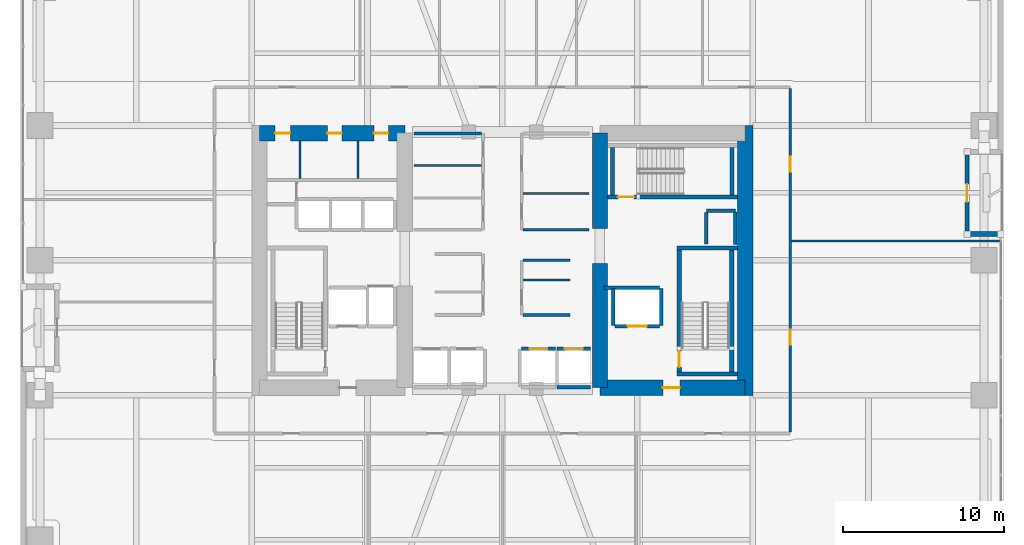
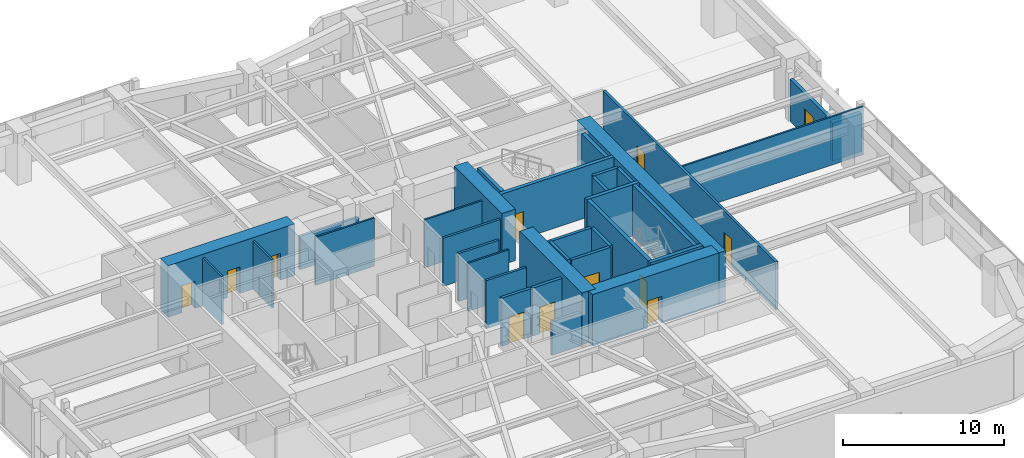
# One storey, part 24 of 28: 35 walls, 12 doors, 12 openings.
"""IFC4 building model written with IfcOpenShell, lengths in metres."""

from ifc_helpers import new_model, si_unit, direction, frame, frame_2d, origin, place, context, subcontext, project, spatial, rectangle, extrude, material, layer, layer_set, type_object, element, fill, save


model = new_model("IFC4")

# Units and contexts
model_context = context("Model", 3, precision=1e-05, world=origin(), true_north=direction((0.0, 1.0)))
body_context = subcontext(model_context, "Body", "Model", "MODEL_VIEW")
ifc_project = project(units=[si_unit("LENGTHUNIT", "METRE"), si_unit("AREAUNIT", "SQUARE_METRE"), si_unit("VOLUMEUNIT", "CUBIC_METRE"), si_unit("PLANEANGLEUNIT", "RADIAN"), si_unit("MASSUNIT", "GRAM", prefix="KILO")], contexts=[model_context])

# Site, building, storey
site_placement = place(None, origin())
site = spatial("IfcSite", under=ifc_project, at=site_placement, CompositionType="ELEMENT")
building_placement = place(site_placement, origin())
building = spatial("IfcBuilding", under=site, at=building_placement, Name="Kiyonajd Concourse Tower", CompositionType="ELEMENT")
storey_placement = place(building_placement, frame((0.0, 0.0, 33.300048828125)))
storey = spatial("IfcBuildingStorey", under=building, at=storey_placement, Name="L09", CompositionType="ELEMENT", Elevation=33.300048828125)

# Wall, openings, doors
ifc_material_1 = material(Name="Concrete C80/95", Category="concrete")
ifc_layer_1 = layer(ifc_material_1, 0.949951171875)
ifc_layer_set_1 = layer_set([ifc_layer_1], Name="Concrete C80/95")
wall_type_1 = type_object("IfcWallType", Name="WL-CORE-950", PredefinedType="SHEAR", material=ifc_layer_set_1)
wall_1_placement = place(storey_placement, frame((32.875, 43.925048828125, 0.0), z_axis=(0.0, 0.0, 1.0), x_axis=(1.0, 0.0, 0.0)))
wall_1 = element("IfcWall", 1, at=wall_1_placement, inside=storey, type_object=wall_type_1, Name="L09 West Core North Shear Wall", PredefinedType="SHEAR", context=body_context, shape_type="SweptSolid", body=[
    extrude(rectangle(XDim=9.050048828125, YDim=0.949951171875, at=frame_2d((4.52490234375, 0.0))), origin(), (0.0, 0.0, 1.0), 3.89990234375),
])
opening_1_placement = place(wall_1_placement, frame((0.97509765625, 0.0, 0.0)))
opening_1 = element("IfcOpeningElement", 2, at=opening_1_placement, cuts=wall_1, Name="Opening DI1", PredefinedType="OPENING", context=body_context, shape_type="SweptSolid", body=[
    extrude(rectangle(XDim=0.949951171875, YDim=2.0400390625, at=frame_2d((0.47509765625, 1.02001953125))), frame((0.0, 0.48486328125, 0.0), z_axis=(0.0, -1.0, 0.0), x_axis=(1.0, 0.0, 0.0)), (0.0, 0.0, 1.0), 0.969970703125),
])
opening_2_placement = place(wall_1_placement, frame((4.22509765625, 0.0, 0.0)))
opening_2 = element("IfcOpeningElement", 3, at=opening_2_placement, cuts=wall_1, Name="Opening DI2", PredefinedType="OPENING", context=body_context, shape_type="SweptSolid", body=[
    extrude(rectangle(XDim=0.89990234375, YDim=2.02001953125, at=frame_2d((0.449951171875, 1.010009765625))), frame((0.0, 0.48486328125, 0.0), z_axis=(0.0, -1.0, 0.0), x_axis=(1.0, 0.0, 0.0)), (0.0, 0.0, 1.0), 0.969970703125),
])
opening_3_placement = place(wall_1_placement, frame((7.125, 0.0, 0.0)))
opening_3 = element("IfcOpeningElement", 4, at=opening_3_placement, cuts=wall_1, Name="Opening DI2", PredefinedType="OPENING", context=body_context, shape_type="SweptSolid", body=[
    extrude(rectangle(XDim=0.89990234375, YDim=2.02001953125, at=frame_2d((0.449951171875, 1.010009765625))), frame((0.0, 0.48486328125, 0.0), z_axis=(0.0, -1.0, 0.0), x_axis=(1.0, 0.0, 0.0)), (0.0, 0.0, 1.0), 0.969970703125),
])
ifc_material_2 = material(Name="Natural Oak Acoustic Timber Veneer", Category="wood")
door_type_1 = type_object("IfcDoorType", Name="DR-INT-900", OperationType="NOTDEFINED", PredefinedType="DOOR", material=ifc_material_2)
door_1_placement = place(opening_2_placement, origin())
door_1 = element("IfcDoor", 5, at=door_1_placement, inside=storey, type_object=door_type_1, Name="L09 Male Restroom Door", OperationType="SINGLE_SWING_RIGHT", OverallHeight=2.02001953125, OverallWidth=0.89990234375, PredefinedType="DOOR", context=body_context, shape_type="SweptSolid", body=[
    extrude(rectangle(XDim=0.89990234375, YDim=2.02001953125, at=frame_2d((0.449951171875, 1.010009765625))), frame((0.0, 0.02490234375, 0.0), z_axis=(0.0, -1.0, 0.0), x_axis=(1.0, 0.0, 0.0)), (0.0, 0.0, 1.0), 0.050048828125),
])
fill(opening_2, door_1)
door_2_placement = place(opening_3_placement, origin())
door_2 = element("IfcDoor", 6, at=door_2_placement, inside=storey, type_object=door_type_1, Name="L09 Female Restroom Door", OperationType="SINGLE_SWING_LEFT", OverallHeight=2.02001953125, OverallWidth=0.89990234375, PredefinedType="DOOR", context=body_context, shape_type="SweptSolid", body=[
    extrude(rectangle(XDim=0.89990234375, YDim=2.02001953125, at=frame_2d((0.449951171875, 1.010009765625))), frame((0.0, 0.02490234375, 0.0), z_axis=(0.0, -1.0, 0.0), x_axis=(1.0, 0.0, 0.0)), (0.0, 0.0, 1.0), 0.050048828125),
])
fill(opening_3, door_2)
door_type_2 = type_object("IfcDoorType", Name="DR-INT-950", OperationType="NOTDEFINED", PredefinedType="DOOR", material=ifc_material_2)
door_3_placement = place(opening_1_placement, origin())
door_3 = element("IfcDoor", 7, at=door_3_placement, inside=storey, type_object=door_type_2, Name="L09 Single User Accessible WC Door", OperationType="SINGLE_SWING_LEFT", OverallHeight=2.0400390625, OverallWidth=0.949951171875, PredefinedType="DOOR", context=body_context, shape_type="SweptSolid", body=[
    extrude(rectangle(XDim=0.949951171875, YDim=2.0400390625, at=frame_2d((0.47509765625, 1.02001953125))), frame((0.0, 0.02490234375, 0.0), z_axis=(0.0, -1.0, 0.0), x_axis=(1.0, 0.0, 0.0)), (0.0, 0.0, 1.0), 0.050048828125),
])
fill(opening_1, door_3)

# Walls
wall_2_placement = place(storey_placement, frame((54.074951171875, 28.074951171875, 0.0), z_axis=(0.0, 0.0, 1.0), x_axis=(0.0, 1.0, 0.0)))
element("IfcWall", 8, at=wall_2_placement, inside=storey, type_object=wall_type_1, Name="L09 East Core Inner South Shear Wall", PredefinedType="SHEAR", context=body_context, shape_type="SweptSolid", body=[
    extrude(rectangle(XDim=7.72509765625, YDim=0.949951171875, at=frame_2d((3.862548828125, 0.0))), origin(), (0.0, 0.0, 1.0), 3.89990234375),
])
wall_3_placement = place(storey_placement, frame((54.074951171875, 38.0, 0.0), z_axis=(0.0, 0.0, 1.0), x_axis=(0.0, 1.0, 0.0)))
element("IfcWall", 9, at=wall_3_placement, inside=storey, type_object=wall_type_1, Name="L09 East Core Inner North Shear Wall", PredefinedType="SHEAR", context=body_context, shape_type="SweptSolid", body=[
    extrude(rectangle(XDim=5.925048828125, YDim=0.949951171875, at=frame_2d((2.96240234375, 0.0))), origin(), (0.0, 0.0, 1.0), 3.89990234375),
])
wall_4_placement = place(storey_placement, frame((63.125, 27.60009765625, 0.0), z_axis=(0.0, 0.0, 1.0), x_axis=(0.0, 1.0, 0.0)))
element("IfcWall", 10, at=wall_4_placement, inside=storey, type_object=wall_type_1, Name="L09 East Core Outer Shear Wall", PredefinedType="SHEAR", context=body_context, shape_type="SweptSolid", body=[
    extrude(rectangle(XDim=16.7998046875, YDim=0.949951171875, at=frame_2d((8.39990234375, 0.0))), origin(), (0.0, 0.0, 1.0), 3.89990234375),
])

# Wall, opening, door
wall_5_placement = place(storey_placement, frame((54.074951171875, 28.074951171875, 0.0), z_axis=(0.0, 0.0, 1.0), x_axis=(1.0, 0.0, 0.0)))
wall_5 = element("IfcWall", 11, at=wall_5_placement, inside=storey, type_object=wall_type_1, Name="L09 East Core South Shear Wall", PredefinedType="SHEAR", context=body_context, shape_type="SweptSolid", body=[
    extrude(rectangle(XDim=9.050048828125, YDim=0.949951171875, at=frame_2d((4.52490234375, 0.0))), origin(), (0.0, 0.0, 1.0), 3.89990234375),
])
opening_4_placement = place(wall_5_placement, frame((3.925048828125, 0.0, 0.0)))
opening_4 = element("IfcOpeningElement", 12, at=opening_4_placement, cuts=wall_5, Name="Opening DF5", PredefinedType="OPENING", context=body_context, shape_type="SweptSolid", body=[
    extrude(rectangle(XDim=1.050048828125, YDim=2.0400390625, at=frame_2d((0.52490234375, 1.02001953125))), frame((0.0, 0.48486328125, 0.0), z_axis=(0.0, -1.0, 0.0), x_axis=(1.0, 0.0, 0.0)), (0.0, 0.0, 1.0), 0.969970703125),
])
ifc_material_3 = material(Name="Brushed Stainless Steel Cab Assembly", Category="steel")
door_type_3 = type_object("IfcDoorType", Name="DR-FD45-1050", OperationType="NOTDEFINED", PredefinedType="DOOR", material=ifc_material_3)
door_4_placement = place(opening_4_placement, origin())
door_4 = element("IfcDoor", 13, at=door_4_placement, inside=storey, type_object=door_type_3, Name="L09 Firefighting Lift Lobby E Smoke Door", OperationType="SINGLE_SWING_RIGHT", OverallHeight=2.0400390625, OverallWidth=1.050048828125, PredefinedType="DOOR", context=body_context, shape_type="SweptSolid", body=[
    extrude(rectangle(XDim=1.050048828125, YDim=2.0400390625, at=frame_2d((0.52490234375, 1.02001953125))), frame((0.0, 0.02490234375, 0.0), z_axis=(0.0, -1.0, 0.0), x_axis=(1.0, 0.0, 0.0)), (0.0, 0.0, 1.0), 0.050048828125),
])
fill(opening_4, door_4)

# Wall
ifc_material_4 = material(Name="Precast concrete C50/60", Category="concrete")
ifc_layer_2 = layer(ifc_material_4, 0.320068359375)
ifc_layer_set_2 = layer_set([ifc_layer_2], Name="Precast concrete C50/60")
wall_type_2 = type_object("IfcWallType", Name="WL-EXT-320", PredefinedType="SOLIDWALL", material=ifc_layer_set_2)
wall_6_placement = place(storey_placement, frame((76.93994140625, 37.639892578125, 0.0), z_axis=(0.0, 0.0, 1.0), x_axis=(1.0, 0.0, 0.0)))
element("IfcWall", 14, at=wall_6_placement, inside=storey, type_object=wall_type_2, Name="L09 Exterior Concrete Frame Wall 23", PredefinedType="SOLIDWALL", context=body_context, shape_type="SweptSolid", body=[
    extrude(rectangle(XDim=2.10009765625, YDim=0.320068359375, at=frame_2d((1.050048828125, 0.0))), origin(), (0.0, 0.0, 1.0), 2.875),
])

# Wall, opening, door
ifc_layer_3 = layer(ifc_material_4, 0.239990234375)
ifc_layer_set_3 = layer_set([ifc_layer_3], Name="Precast concrete C50/60")
wall_type_3 = type_object("IfcWallType", Name="WL-LOG-240", PredefinedType="SOLIDWALL", material=ifc_layer_set_3)
wall_7_placement = place(storey_placement, frame((76.93994140625, 42.56494140625, 0.0), z_axis=(0.0, 0.0, 1.0), x_axis=(0.0, -1.0, 0.0)))
wall_7 = element("IfcWall", 15, at=wall_7_placement, inside=storey, type_object=wall_type_3, Name="L09 Recessed Loggia Thermal Wall LOG-E", PredefinedType="SOLIDWALL", context=body_context, shape_type="SweptSolid", body=[
    extrude(rectangle(XDim=4.72998046875, YDim=0.239990234375, at=frame_2d((2.364990234375, 0.0))), origin(), (0.0, 0.0, 1.0), 3.161865234375),
])
opening_5_placement = place(wall_7_placement, frame((1.81494140625, 0.0, 0.0)))
opening_5 = element("IfcOpeningElement", 16, at=opening_5_placement, cuts=wall_7, Name="Opening DL2", PredefinedType="OPENING", context=body_context, shape_type="SweptSolid", body=[
    extrude(rectangle(XDim=1.10009765625, YDim=2.0400390625, at=frame_2d((0.550048828125, 1.02001953125))), frame((0.0, 0.1298828125, 0.0), z_axis=(0.0, -1.0, 0.0), x_axis=(1.0, 0.0, 0.0)), (0.0, 0.0, 1.0), 0.260009765625),
])
ifc_material_5 = material(Name="Thermally Broken Anodised Aluminium", Category="aluminium")
door_type_4 = type_object("IfcDoorType", Name="DR-LOG-1100", OperationType="NOTDEFINED", PredefinedType="DOOR", material=ifc_material_5)
door_5_placement = place(opening_5_placement, origin())
door_5 = element("IfcDoor", 17, at=door_5_placement, inside=storey, type_object=door_type_4, Name="L09 Engawa Loggia Access Door LOG-E", OperationType="SINGLE_SWING_LEFT", OverallHeight=2.0400390625, OverallWidth=1.10009765625, PredefinedType="DOOR", context=body_context, shape_type="SweptSolid", body=[
    extrude(rectangle(XDim=1.10009765625, YDim=2.0400390625, at=frame_2d((0.550048828125, 1.02001953125))), frame((0.0, 0.02490234375, 0.0), z_axis=(0.0, -1.0, 0.0), x_axis=(1.0, 0.0, 0.0)), (0.0, 0.0, 1.0), 0.050048828125),
])
fill(opening_5, door_5)

# Walls
ifc_material_6 = material(Name="Gypsum Board on Cold-Formed Steel Stud", Category="steel")
ifc_layer_4 = layer(ifc_material_6, 0.125)
ifc_layer_set_4 = layer_set([ifc_layer_4], Name="Gypsum Board on Cold-Formed Steel Stud")
wall_type_4 = type_object("IfcWallType", Name="WL-PART-125", PredefinedType="PARTITIONING", material=ifc_layer_set_4)
for number, where, z_axis, x_axis, name in (
    (18, (35.39990234375, 41.094970703125, 0.0), (0.0, 0.0, 1.0), (0.0, 1.0, 0.0), "L09 Interior Partition Wall"),
    (19, (39.0, 41.094970703125, 0.0), (0.0, 0.0, 1.0), (0.0, 1.0, 0.0), "L09 Interior Partition Wall"),
):
    element("IfcWall", number, at=place(storey_placement, frame(where, z_axis=z_axis, x_axis=x_axis)), inside=storey, type_object=wall_type_4, Name=name, PredefinedType="PARTITIONING", context=body_context, shape_type="SweptSolid", body=[
        extrude(rectangle(XDim=2.35498046875, YDim=0.125, at=frame_2d((1.177490234375, 0.0))), origin(), (0.0, 0.0, 1.0), 3.639892578125),
    ])
wall_8_placement = place(storey_placement, frame((49.287109375, 34.77587890625, 0.0), z_axis=(0.0, 0.0, 1.0), x_axis=(1.0, 0.0, 0.0)))
element("IfcWall", 20, at=wall_8_placement, inside=storey, type_object=wall_type_4, Name="L09 Interior Partition Wall", PredefinedType="PARTITIONING", context=body_context, shape_type="SweptSolid", body=[
    extrude(rectangle(XDim=2.912841796875, YDim=0.125, at=frame_2d((1.45654296875, 0.0))), origin(), (0.0, 0.0, 1.0), 3.639892578125),
])
wall_9_placement = place(storey_placement, frame((42.5, 41.919921875, 0.0), z_axis=(0.0, 0.0, 1.0), x_axis=(1.0, 0.0, 0.0)))
element("IfcWall", 21, at=wall_9_placement, inside=storey, type_object=wall_type_4, Name="L09 Interior Partition Wall", PredefinedType="PARTITIONING", context=body_context, shape_type="SweptSolid", body=[
    extrude(rectangle(XDim=4.212890625, YDim=0.125, at=frame_2d((2.1064453125, 0.0))), origin(), (0.0, 0.0, 1.0), 3.639892578125),
])
wall_10_placement = place(storey_placement, frame((49.287109375, 40.179931640625, 0.0), z_axis=(0.0, 0.0, 1.0), x_axis=(1.0, 0.0, 0.0)))
element("IfcWall", 22, at=wall_10_placement, inside=storey, type_object=wall_type_4, Name="L09 Interior Partition Wall", PredefinedType="PARTITIONING", context=body_context, shape_type="SweptSolid", body=[
    extrude(rectangle(XDim=4.11279296875, YDim=0.125, at=frame_2d((2.056396484375, 0.0))), origin(), (0.0, 0.0, 1.0), 3.639892578125),
])
wall_11_placement = place(storey_placement, frame((66.011962890625, 37.199951171875, 0.0), z_axis=(0.0, 0.0, 1.0), x_axis=(1.0, 0.0, 0.0)))
element("IfcWall", 23, at=wall_11_placement, inside=storey, type_object=wall_type_4, Name="L09 Interior Partition Wall", PredefinedType="PARTITIONING", context=body_context, shape_type="SweptSolid", body=[
    extrude(rectangle(XDim=12.943115234375, YDim=0.125, at=frame_2d((6.4716796875, 0.0))), origin(), (0.0, 0.0, 1.0), 3.639892578125),
])
ifc_layer_5 = layer(ifc_material_6, 0.2099609375)
ifc_layer_set_5 = layer_set([ifc_layer_5], Name="Gypsum Board on Cold-Formed Steel Stud")
wall_type_5 = type_object("IfcWallType", Name="WL-SHAFT-210", PredefinedType="PARTITIONING", material=ifc_layer_set_5)
wall_12_placement = place(storey_placement, frame((60.719970703125, 39.10009765625, 0.0), z_axis=(0.0, 0.0, 1.0), x_axis=(1.0, 0.0, 0.0)))
element("IfcWall", 24, at=wall_12_placement, inside=storey, type_object=wall_type_5, Name="L09 Shaft Enclosure Wall", PredefinedType="PARTITIONING", context=body_context, shape_type="SweptSolid", body=[
    extrude(rectangle(XDim=1.800048828125, YDim=0.2099609375, at=frame_2d((0.89990234375, 0.0))), origin(), (0.0, 0.0, 1.0), 3.639892578125),
])
wall_13_placement = place(storey_placement, frame((60.699951171875, 37.02001953125, 0.0), z_axis=(0.0, 0.0, 1.0), x_axis=(0.0, 1.0, 0.0)))
element("IfcWall", 25, at=wall_13_placement, inside=storey, type_object=wall_type_5, Name="L09 Shaft Enclosure Wall", PredefinedType="PARTITIONING", context=body_context, shape_type="SweptSolid", body=[
    extrude(rectangle(XDim=1.9599609375, YDim=0.2099609375, at=frame_2d((0.97998046875, 0.0))), origin(), (0.0, 0.0, 1.0), 3.639892578125),
])
wall_14_placement = place(storey_placement, frame((62.5, 36.97998046875, 0.0), z_axis=(0.0, 0.0, 1.0), x_axis=(0.0, 1.0, 0.0)))
element("IfcWall", 26, at=wall_14_placement, inside=storey, type_object=wall_type_5, Name="L09 Shaft Enclosure Wall", PredefinedType="PARTITIONING", context=body_context, shape_type="SweptSolid", body=[
    extrude(rectangle(XDim=2.0400390625, YDim=0.2099609375, at=frame_2d((1.02001953125, 0.0))), origin(), (0.0, 0.0, 1.0), 3.639892578125),
])

# Wall, opening, door
wall_15_placement = place(storey_placement, frame((55.0, 31.89990234375, 0.0), z_axis=(0.0, 0.0, 1.0), x_axis=(1.0, 0.0, 0.0)))
wall_15 = element("IfcWall", 27, at=wall_15_placement, inside=storey, type_object=wall_type_5, Name="L09 Shaft Enclosure Wall", PredefinedType="PARTITIONING", context=body_context, shape_type="SweptSolid", body=[
    extrude(rectangle(XDim=2.800048828125, YDim=0.2099609375, at=frame_2d((1.39990234375, 0.0))), origin(), (0.0, 0.0, 1.0), 3.639892578125),
])
opening_6_placement = place(wall_15_placement, frame((0.800048828125, 0.0, 0.0)))
opening_6 = element("IfcOpeningElement", 28, at=opening_6_placement, cuts=wall_15, Name="Opening LD2", PredefinedType="OPENING", context=body_context, shape_type="SweptSolid", body=[
    extrude(rectangle(XDim=1.199951171875, YDim=2.0400390625, at=frame_2d((0.60009765625, 1.02001953125))), frame((0.0, 0.114990234375, 0.0), z_axis=(0.0, -1.0, 0.0), x_axis=(1.0, 0.0, 0.0)), (0.0, 0.0, 1.0), 0.22998046875),
])
door_type_5 = type_object("IfcDoorType", Name="DR-LD-1200", OperationType="DOUBLE_DOOR_SLIDING", PredefinedType="DOOR", material=ifc_material_3)
door_6_placement = place(opening_6_placement, origin())
door_6 = element("IfcDoor", 29, at=door_6_placement, inside=storey, type_object=door_type_5, Name="L09 Lift FFL2 Sliding Landing Door", OperationType="DOUBLE_DOOR_SLIDING", OverallHeight=2.0400390625, OverallWidth=1.199951171875, PredefinedType="DOOR", context=body_context, shape_type="SweptSolid", body=[
    extrude(rectangle(XDim=1.199951171875, YDim=2.0400390625, at=frame_2d((0.60009765625, 1.02001953125))), frame((0.0, 0.02490234375, 0.0), z_axis=(0.0, -1.0, 0.0), x_axis=(1.0, 0.0, 0.0)), (0.0, 0.0, 1.0), 0.050048828125),
])
fill(opening_6, door_6)

# Walls
wall_16_placement = place(storey_placement, frame((54.320068359375, 34.300048828125, 0.0), z_axis=(0.0, 0.0, 1.0), x_axis=(1.0, 0.0, 0.0)))
element("IfcWall", 30, at=wall_16_placement, inside=storey, type_object=wall_type_5, Name="L09 Shaft Enclosure Wall", PredefinedType="PARTITIONING", context=body_context, shape_type="SweptSolid", body=[
    extrude(rectangle(XDim=3.47998046875, YDim=0.2099609375, at=frame_2d((1.739990234375, 0.0))), origin(), (0.0, 0.0, 1.0), 3.639892578125),
])
for number, where, z_axis, x_axis, name in (
    (31, (54.89990234375, 31.9599609375, 0.0), (0.0, 0.0, 1.0), (0.0, 1.0, 0.0), "L09 Shaft Enclosure Wall"),
    (32, (57.89990234375, 31.9599609375, 0.0), (0.0, 0.0, 1.0), (0.0, 1.0, 0.0), "L09 Shaft Enclosure Wall"),
):
    element("IfcWall", number, at=place(storey_placement, frame(where, z_axis=z_axis, x_axis=x_axis)), inside=storey, type_object=wall_type_5, Name=name, PredefinedType="PARTITIONING", context=body_context, shape_type="SweptSolid", body=[
        extrude(rectangle(XDim=2.280029296875, YDim=0.2099609375, at=frame_2d((1.14013671875, 0.0))), origin(), (0.0, 0.0, 1.0), 3.639892578125),
    ])

# Wall, opening, door
wall_17_placement = place(storey_placement, frame((49.199951171875, 30.5, 0.0), z_axis=(0.0, 0.0, 1.0), x_axis=(1.0, 0.0, 0.0)))
wall_17 = element("IfcWall", 33, at=wall_17_placement, inside=storey, type_object=wall_type_5, Name="L09 Shaft Enclosure Wall", PredefinedType="PARTITIONING", context=body_context, shape_type="SweptSolid", body=[
    extrude(rectangle(XDim=2.10009765625, YDim=0.2099609375, at=frame_2d((1.050048828125, 0.0))), origin(), (0.0, 0.0, 1.0), 3.639892578125),
])
opening_7_placement = place(wall_17_placement, frame((0.5, 0.0, 0.0)))
opening_7 = element("IfcOpeningElement", 34, at=opening_7_placement, cuts=wall_17, Name="Opening LD1", PredefinedType="OPENING", context=body_context, shape_type="SweptSolid", body=[
    extrude(rectangle(XDim=1.10009765625, YDim=2.0400390625, at=frame_2d((0.550048828125, 1.02001953125))), frame((0.0, 0.114990234375, 0.0), z_axis=(0.0, -1.0, 0.0), x_axis=(1.0, 0.0, 0.0)), (0.0, 0.0, 1.0), 0.22998046875),
])
door_type_6 = type_object("IfcDoorType", Name="DR-LD-1100", OperationType="DOUBLE_DOOR_SLIDING", PredefinedType="DOOR", material=ifc_material_3)
door_7_placement = place(opening_7_placement, origin())
door_7 = element("IfcDoor", 35, at=door_7_placement, inside=storey, type_object=door_type_6, Name="L09 Lift PL-L3 Sliding Landing Door", OperationType="DOUBLE_DOOR_SLIDING", OverallHeight=2.0400390625, OverallWidth=1.10009765625, PredefinedType="DOOR", context=body_context, shape_type="SweptSolid", body=[
    extrude(rectangle(XDim=1.10009765625, YDim=2.0400390625, at=frame_2d((0.550048828125, 1.02001953125))), frame((0.0, 0.02490234375, 0.0), z_axis=(0.0, -1.0, 0.0), x_axis=(1.0, 0.0, 0.0)), (0.0, 0.0, 1.0), 0.050048828125),
])
fill(opening_7, door_7)

wall_18_placement = place(storey_placement, frame((51.39990234375, 30.5, 0.0), z_axis=(0.0, 0.0, 1.0), x_axis=(1.0, 0.0, 0.0)))
wall_18 = element("IfcWall", 36, at=wall_18_placement, inside=storey, type_object=wall_type_5, Name="L09 Shaft Enclosure Wall", PredefinedType="PARTITIONING", context=body_context, shape_type="SweptSolid", body=[
    extrude(rectangle(XDim=2.10009765625, YDim=0.2099609375, at=frame_2d((1.050048828125, 0.0))), origin(), (0.0, 0.0, 1.0), 3.639892578125),
])
opening_8_placement = place(wall_18_placement, frame((0.5, 0.0, 0.0)))
opening_8 = element("IfcOpeningElement", 37, at=opening_8_placement, cuts=wall_18, Name="Opening LD1", PredefinedType="OPENING", context=body_context, shape_type="SweptSolid", body=[
    extrude(rectangle(XDim=1.10009765625, YDim=2.0400390625, at=frame_2d((0.550048828125, 1.02001953125))), frame((0.0, 0.114990234375, 0.0), z_axis=(0.0, -1.0, 0.0), x_axis=(1.0, 0.0, 0.0)), (0.0, 0.0, 1.0), 0.22998046875),
])
door_8_placement = place(opening_8_placement, origin())
door_8 = element("IfcDoor", 38, at=door_8_placement, inside=storey, type_object=door_type_6, Name="L09 Lift PL-L4 Sliding Landing Door", OperationType="DOUBLE_DOOR_SLIDING", OverallHeight=2.0400390625, OverallWidth=1.10009765625, PredefinedType="DOOR", context=body_context, shape_type="SweptSolid", body=[
    extrude(rectangle(XDim=1.10009765625, YDim=2.0400390625, at=frame_2d((0.550048828125, 1.02001953125))), frame((0.0, 0.02490234375, 0.0), z_axis=(0.0, -1.0, 0.0), x_axis=(1.0, 0.0, 0.0)), (0.0, 0.0, 1.0), 0.050048828125),
])
fill(opening_8, door_8)

# Walls
wall_19_placement = place(storey_placement, frame((51.39990234375, 28.10009765625, 0.0), z_axis=(0.0, 0.0, 1.0), x_axis=(1.0, 0.0, 0.0)))
element("IfcWall", 39, at=wall_19_placement, inside=storey, type_object=wall_type_5, Name="L09 Shaft Enclosure Wall", PredefinedType="PARTITIONING", context=body_context, shape_type="SweptSolid", body=[
    extrude(rectangle(XDim=2.10009765625, YDim=0.2099609375, at=frame_2d((1.050048828125, 0.0))), origin(), (0.0, 0.0, 1.0), 2.52490234375),
])
ifc_layer_6 = layer(ifc_material_6, 0.169921875)
ifc_layer_set_6 = layer_set([ifc_layer_6], Name="Gypsum Board on Cold-Formed Steel Stud")
wall_type_6 = type_object("IfcWallType", Name="WL-SMK-170", PredefinedType="PARTITIONING", material=ifc_layer_set_6)
for number, where, z_axis, x_axis, name in (
    (40, (49.287109375, 32.60009765625, 0.0), (0.0, 0.0, 1.0), (1.0, 0.0, 0.0), "L09 Interior Partition Wall"),
    (41, (49.287109375, 36.0, 0.0), (0.0, 0.0, 1.0), (1.0, 0.0, 0.0), "L09 Interior Partition Wall"),
):
    element("IfcWall", number, at=place(storey_placement, frame(where, z_axis=z_axis, x_axis=x_axis)), inside=storey, type_object=wall_type_6, Name=name, PredefinedType="PARTITIONING", context=body_context, shape_type="SweptSolid", body=[
        extrude(rectangle(XDim=2.912841796875, YDim=0.169921875, at=frame_2d((1.45654296875, 0.0))), origin(), (0.0, 0.0, 1.0), 3.639892578125),
    ])
wall_20_placement = place(storey_placement, frame((42.5, 43.89990234375, 0.0), z_axis=(0.0, 0.0, 1.0), x_axis=(1.0, 0.0, 0.0)))
element("IfcWall", 42, at=wall_20_placement, inside=storey, type_object=wall_type_6, Name="L09 Interior Partition Wall", PredefinedType="PARTITIONING", context=body_context, shape_type="SweptSolid", body=[
    extrude(rectangle(XDim=4.212890625, YDim=0.169921875, at=frame_2d((2.1064453125, 0.0))), origin(), (0.0, 0.0, 1.0), 2.52490234375),
])
wall_21_placement = place(storey_placement, frame((49.287109375, 37.89990234375, 0.0), z_axis=(0.0, 0.0, 1.0), x_axis=(1.0, 0.0, 0.0)))
element("IfcWall", 43, at=wall_21_placement, inside=storey, type_object=wall_type_6, Name="L09 Interior Partition Wall", PredefinedType="PARTITIONING", context=body_context, shape_type="SweptSolid", body=[
    extrude(rectangle(XDim=4.11279296875, YDim=0.169921875, at=frame_2d((2.056396484375, 0.0))), origin(), (0.0, 0.0, 1.0), 3.639892578125),
])

# Wall, openings, doors
wall_22_placement = place(storey_placement, frame((65.925048828125, 25.306884765625, 0.0), z_axis=(0.0, 0.0, 1.0), x_axis=(0.0, 1.0, 0.0)))
wall_22 = element("IfcWall", 44, at=wall_22_placement, inside=storey, type_object=wall_type_6, Name="L09 Interior Partition Wall", PredefinedType="PARTITIONING", context=body_context, shape_type="SweptSolid", body=[
    extrude(rectangle(XDim=21.38623046875, YDim=0.169921875, at=frame_2d((10.693115234375, 0.0))), origin(), (0.0, 0.0, 1.0), 3.639892578125),
])
opening_9_placement = place(wall_22_placement, frame((5.427978515625, 0.0, 0.0)))
opening_9 = element("IfcOpeningElement", 45, at=opening_9_placement, cuts=wall_22, Name="Opening DI1", PredefinedType="OPENING", context=body_context, shape_type="SweptSolid", body=[
    extrude(rectangle(XDim=0.949951171875, YDim=2.0400390625, at=frame_2d((0.47509765625, 1.02001953125))), frame((0.0, 0.094970703125, 0.0), z_axis=(0.0, -1.0, 0.0), x_axis=(1.0, 0.0, 0.0)), (0.0, 0.0, 1.0), 0.18994140625),
])
opening_10_placement = place(wall_22_placement, frame((16.2080078125, 0.0, 0.0)))
opening_10 = element("IfcOpeningElement", 46, at=opening_10_placement, cuts=wall_22, Name="Opening DI1", PredefinedType="OPENING", context=body_context, shape_type="SweptSolid", body=[
    extrude(rectangle(XDim=0.949951171875, YDim=2.0400390625, at=frame_2d((0.47509765625, 1.02001953125))), frame((0.0, 0.094970703125, 0.0), z_axis=(0.0, -1.0, 0.0), x_axis=(1.0, 0.0, 0.0)), (0.0, 0.0, 1.0), 0.18994140625),
])
door_9_placement = place(opening_9_placement, origin())
door_9 = element("IfcDoor", 47, at=door_9_placement, inside=storey, type_object=door_type_2, Name="L09 Interior Door", OperationType="SINGLE_SWING_RIGHT", OverallHeight=2.0400390625, OverallWidth=0.949951171875, PredefinedType="DOOR", context=body_context, shape_type="SweptSolid", body=[
    extrude(rectangle(XDim=0.949951171875, YDim=2.0400390625, at=frame_2d((0.47509765625, 1.02001953125))), frame((0.0, 0.02490234375, 0.0), z_axis=(0.0, -1.0, 0.0), x_axis=(1.0, 0.0, 0.0)), (0.0, 0.0, 1.0), 0.050048828125),
])
fill(opening_9, door_9)
door_10_placement = place(opening_10_placement, origin())
door_10 = element("IfcDoor", 48, at=door_10_placement, inside=storey, type_object=door_type_2, Name="L09 Interior Door", OperationType="SINGLE_SWING_LEFT", OverallHeight=2.0400390625, OverallWidth=0.949951171875, PredefinedType="DOOR", context=body_context, shape_type="SweptSolid", body=[
    extrude(rectangle(XDim=0.949951171875, YDim=2.0400390625, at=frame_2d((0.47509765625, 1.02001953125))), frame((0.0, 0.02490234375, 0.0), z_axis=(0.0, -1.0, 0.0), x_axis=(1.0, 0.0, 0.0)), (0.0, 0.0, 1.0), 0.050048828125),
])
fill(opening_10, door_10)

# Walls
ifc_material_7 = material(Name="Concrete C50/60", Category="concrete")
ifc_layer_7 = layer(ifc_material_7, 0.260009765625)
ifc_layer_set_7 = layer_set([ifc_layer_7], Name="Concrete C50/60")
wall_type_7 = type_object("IfcWallType", Name="WL-STAIR-260", PredefinedType="SHEAR", material=ifc_layer_set_7)
for number, where, z_axis, x_axis, name in (
    (49, (58.889892578125, 28.919921875, 0.0), (0.0, 0.0, 1.0), (1.0, 0.0, 0.0), "L09 Stair ST2 Structural South Wall"),
    (50, (58.889892578125, 36.780029296875, 0.0), (0.0, 0.0, 1.0), (1.0, 0.0, 0.0), "L09 Stair ST2 Structural North Wall"),
):
    element("IfcWall", number, at=place(storey_placement, frame(where, z_axis=z_axis, x_axis=x_axis)), inside=storey, type_object=wall_type_7, Name=name, PredefinedType="SHEAR", context=body_context, shape_type="SweptSolid", body=[
        extrude(rectangle(XDim=3.760009765625, YDim=0.260009765625, at=frame_2d((1.8798828125, 0.0))), origin(), (0.0, 0.0, 1.0), 3.89990234375),
    ])

# Wall, opening, door
wall_23_placement = place(storey_placement, frame((59.02001953125, 29.050048828125, 0.0), z_axis=(0.0, 0.0, 1.0), x_axis=(0.0, 1.0, 0.0)))
wall_23 = element("IfcWall", 51, at=wall_23_placement, inside=storey, type_object=wall_type_7, Name="L09 Stair ST2 Structural West Wall", PredefinedType="SHEAR", context=body_context, shape_type="SweptSolid", body=[
    extrude(rectangle(XDim=7.599853515625, YDim=0.260009765625, at=frame_2d((3.7998046875, 0.0))), origin(), (0.0, 0.0, 1.0), 3.89990234375),
])
opening_11_placement = place(wall_23_placement, frame((0.300048828125, 0.0, 0.0)))
opening_11 = element("IfcOpeningElement", 52, at=opening_11_placement, cuts=wall_23, Name="Opening DF1", PredefinedType="OPENING", context=body_context, shape_type="SweptSolid", body=[
    extrude(rectangle(XDim=1.0, YDim=2.0400390625, at=frame_2d((0.5, 1.02001953125))), frame((0.0, 0.139892578125, 0.0), z_axis=(0.0, -1.0, 0.0), x_axis=(1.0, 0.0, 0.0)), (0.0, 0.0, 1.0), 0.280029296875),
])
door_type_7 = type_object("IfcDoorType", Name="DR-FD90-1000", OperationType="NOTDEFINED", PredefinedType="DOOR", material=ifc_material_3)
door_11_placement = place(opening_11_placement, origin())
door_11 = element("IfcDoor", 53, at=door_11_placement, inside=storey, type_object=door_type_7, Name="L09 Stair ST2 FSAE Door", OperationType="SINGLE_SWING_RIGHT", OverallHeight=2.0400390625, OverallWidth=1.0, PredefinedType="DOOR", context=body_context, shape_type="SweptSolid", body=[
    extrude(rectangle(XDim=1.0, YDim=2.0400390625, at=frame_2d((0.5, 1.02001953125))), frame((0.0, 0.02490234375, 0.0), z_axis=(0.0, -1.0, 0.0), x_axis=(1.0, 0.0, 0.0)), (0.0, 0.0, 1.0), 0.050048828125),
])
fill(opening_11, door_11)

# Wall
wall_24_placement = place(storey_placement, frame((62.280029296875, 29.050048828125, 0.0), z_axis=(0.0, 0.0, 1.0), x_axis=(0.0, 1.0, 0.0)))
element("IfcWall", 54, at=wall_24_placement, inside=storey, type_object=wall_type_7, Name="L09 Stair ST2 Structural East Wall", PredefinedType="SHEAR", context=body_context, shape_type="SweptSolid", body=[
    extrude(rectangle(XDim=7.599853515625, YDim=0.260009765625, at=frame_2d((3.7998046875, 0.0))), origin(), (0.0, 0.0, 1.0), 3.89990234375),
])

# Wall, opening, door
wall_25_placement = place(storey_placement, frame((54.550048828125, 39.949951171875, 0.0), z_axis=(0.0, 0.0, 1.0), x_axis=(1.0, 0.0, 0.0)))
wall_25 = element("IfcWall", 55, at=wall_25_placement, inside=storey, type_object=wall_type_7, Name="L09 Stair ST3 Structural South Wall", PredefinedType="SHEAR", context=body_context, shape_type="SweptSolid", body=[
    extrude(rectangle(XDim=8.099853515625, YDim=0.260009765625, at=frame_2d((4.0498046875, 0.0))), origin(), (0.0, 0.0, 1.0), 3.89990234375),
])
opening_12_placement = place(wall_25_placement, frame((0.64990234375, 0.0, 0.0)))
opening_12 = element("IfcOpeningElement", 56, at=opening_12_placement, cuts=wall_25, Name="Opening DF1", PredefinedType="OPENING", context=body_context, shape_type="SweptSolid", body=[
    extrude(rectangle(XDim=1.0, YDim=2.0400390625, at=frame_2d((0.5, 1.02001953125))), frame((0.0, 0.139892578125, 0.0), z_axis=(0.0, -1.0, 0.0), x_axis=(1.0, 0.0, 0.0)), (0.0, 0.0, 1.0), 0.280029296875),
])
door_12_placement = place(opening_12_placement, origin())
door_12 = element("IfcDoor", 57, at=door_12_placement, inside=storey, type_object=door_type_7, Name="L09 Stair ST3 Enclosure Door", OperationType="SINGLE_SWING_LEFT", OverallHeight=2.0400390625, OverallWidth=1.0, PredefinedType="DOOR", context=body_context, shape_type="SweptSolid", body=[
    extrude(rectangle(XDim=1.0, YDim=2.0400390625, at=frame_2d((0.5, 1.02001953125))), frame((0.0, 0.02490234375, 0.0), z_axis=(0.0, -1.0, 0.0), x_axis=(1.0, 0.0, 0.0)), (0.0, 0.0, 1.0), 0.050048828125),
])
fill(opening_12, door_12)

# Walls
for number, where, z_axis, x_axis, name in (
    (58, (54.85009765625, 40.080078125, 0.0), (0.0, 0.0, 1.0), (0.0, 1.0, 0.0), "L09 Stair ST3 Structural West Wall"),
    (59, (62.31005859375, 40.080078125, 0.0), (0.0, 0.0, 1.0), (0.0, 1.0, 0.0), "L09 Stair ST3 Structural East Wall"),
):
    element("IfcWall", number, at=place(storey_placement, frame(where, z_axis=z_axis, x_axis=x_axis)), inside=storey, type_object=wall_type_7, Name=name, PredefinedType="SHEAR", context=body_context, shape_type="SweptSolid", body=[
        extrude(rectangle(XDim=2.93994140625, YDim=0.260009765625, at=frame_2d((1.469970703125, 0.0))), origin(), (0.0, 0.0, 1.0), 3.89990234375),
    ])

save(model, "model.ifc")
